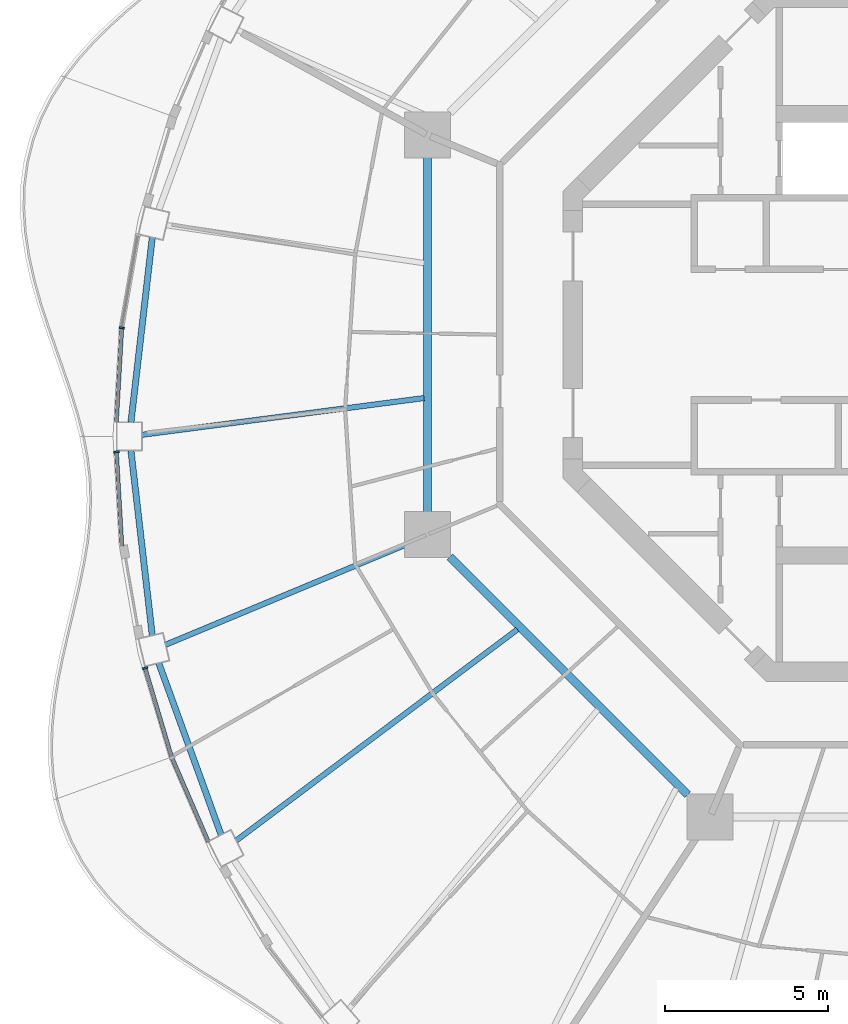
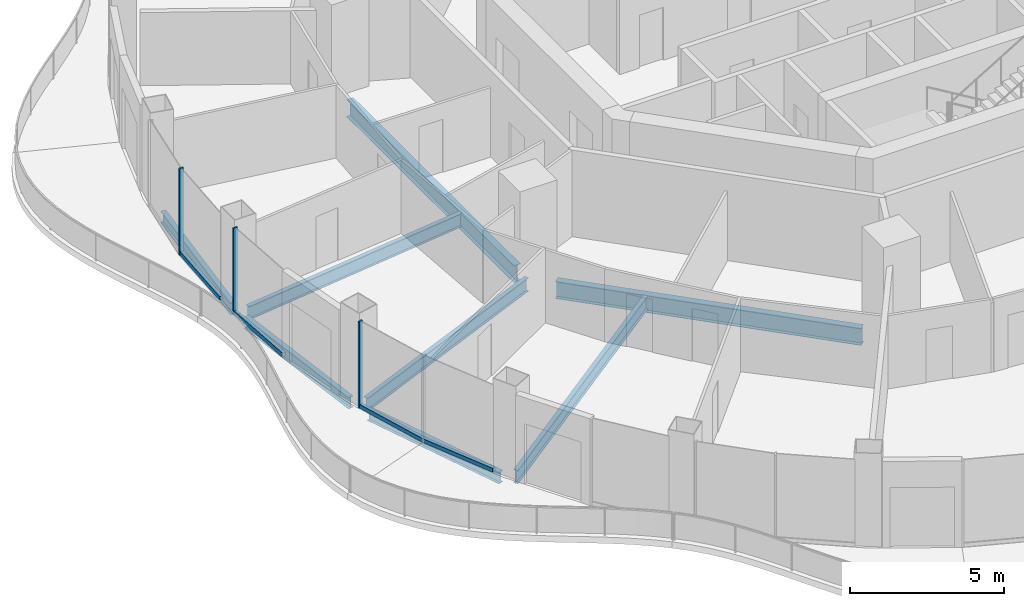
# One storey, part 3 of 17: 8 beams, 7 members, 4 elements without a shape of their own.
"""IFC4 building model written with IfcOpenShell, lengths in metres."""

from ifc_helpers import new_model, si_unit, direction, frame, origin, origin_2d, place, context, subcontext, project, spatial, rectangle, i_section, extrude, material, layer, layer_set, material_profile, profile_set, type_object, element, aggregate, save


model = new_model("IFC4")

# Units and contexts
model_context = context("Model", 3, precision=1e-05, world=origin(), true_north=direction((0.0, 1.0)))
body_context = subcontext(model_context, "Body", "Model", "MODEL_VIEW")
ifc_project = project(units=[si_unit("LENGTHUNIT", "METRE"), si_unit("AREAUNIT", "SQUARE_METRE"), si_unit("VOLUMEUNIT", "CUBIC_METRE"), si_unit("PLANEANGLEUNIT", "RADIAN"), si_unit("MASSUNIT", "GRAM", prefix="KILO")], contexts=[model_context])

# Site, building, storey
site_placement = place(None, origin())
site = spatial("IfcSite", under=ifc_project, at=site_placement, CompositionType="ELEMENT")
building_placement = place(site_placement, origin())
building = spatial("IfcBuilding", under=site, at=building_placement, Name="Nagisa Residences", CompositionType="ELEMENT")
storey_placement = place(building_placement, frame((0.0, 0.0, 265.89990234375)))
storey = spatial("IfcBuildingStorey", under=building, at=storey_placement, Name="L67", CompositionType="ELEMENT", Elevation=265.89990234375)

# Curtain wall, member
ifc_material_1 = material(Name="Concrete-coloured aluminium curtain wall system", Category="concrete")
ifc_layer = layer(ifc_material_1, 0.159912109375)
ifc_layer_set = layer_set([ifc_layer], Name="CW1 CURTAIN WALL")
curtain_wall_type = type_object("IfcCurtainWallType", Name="CW1 CURTAIN WALL", PredefinedType="NOTDEFINED", material=ifc_layer_set)
curtain_wall_1_placement = place(storey_placement, origin())
curtain_wall_1 = element("IfcCurtainWall", 1, at=curtain_wall_1_placement, inside=storey, type_object=curtain_wall_type, Name="cw:CW1:L67:23", PredefinedType="NOTDEFINED")
ifc_material_2 = material(Name="Concrete-coloured aluminium", Category="concrete")
ifc_material_profile_1 = material_profile(ifc_material_2, rectangle(XDim=0.159912109375, YDim=0.06005859375, at=origin_2d()), Name="CW1 MULLION 160x60")
ifc_profile_set_1 = profile_set([ifc_material_profile_1], Name="Concrete-coloured aluminium")
member_type_1 = type_object("IfcMemberType", Name="CW1 MULLION 160x60", PredefinedType="MULLION", material=ifc_profile_set_1)
member_1_placement = place(storey_placement, frame((-24.1484375, 0.20751953125, 0.0), z_axis=(0.0, 0.0, 1.0), x_axis=(0.998345305184, -0.057503492216, 0.0)))
member_1 = element("IfcMember", 2, at=member_1_placement, type_object=member_type_1, Name="CW1 mullion", PredefinedType="MULLION", context=body_context, shape_type="SweptSolid", body=[
    extrude(rectangle(XDim=0.159912109375, YDim=0.06005859375, at=origin_2d()), origin(), (0.0, 0.0, 1.0), 3.440185546875),
])

curtain_wall_2_placement = place(storey_placement, origin())
curtain_wall_2 = element("IfcCurtainWall", 3, at=curtain_wall_2_placement, inside=storey, type_object=curtain_wall_type, Name="cw:CW1:L67:24", PredefinedType="NOTDEFINED")
member_2_placement = place(storey_placement, frame((-24.3125, -3.59228515625, 0.0), z_axis=(0.0, 0.0, 1.0), x_axis=(0.998345305184, 0.057503492216, 0.0)))
member_2 = element("IfcMember", 4, at=member_2_placement, type_object=member_type_1, Name="CW1 mullion", PredefinedType="MULLION", context=body_context, shape_type="SweptSolid", body=[
    extrude(rectangle(XDim=0.159912109375, YDim=0.06005859375, at=origin_2d()), origin(), (0.0, 0.0, 1.0), 3.440185546875),
])

curtain_wall_3_placement = place(storey_placement, origin())
curtain_wall_3 = element("IfcCurtainWall", 5, at=curtain_wall_3_placement, inside=storey, type_object=curtain_wall_type, Name="cw:CW1:L67:26", PredefinedType="NOTDEFINED")
member_3_placement = place(storey_placement, frame((-23.435302734375, -10.216796875, 0.0), z_axis=(0.0, 0.0, 1.0), x_axis=(0.958271310082, 0.285860274038, 0.0)))
member_3 = element("IfcMember", 6, at=member_3_placement, type_object=member_type_1, Name="CW1 mullion", PredefinedType="MULLION", context=body_context, shape_type="SweptSolid", body=[
    extrude(rectangle(XDim=0.159912109375, YDim=0.06005859375, at=origin_2d()), origin(), (0.0, 0.0, 1.0), 3.440185546875),
])

# Member
ifc_material_3 = material(Name="Concrete-coloured aluminium", Category="concrete")
ifc_material_profile_2 = material_profile(ifc_material_3, rectangle(XDim=0.1201171875, YDim=0.14990234375, at=origin_2d()), Name="CW1 TRANSOM 120x150")
ifc_profile_set_2 = profile_set([ifc_material_profile_2], Name="Concrete-coloured aluminium")
member_type_2 = type_object("IfcMemberType", Name="CW1 TRANSOM 120x150", PredefinedType="USERDEFINED", material=ifc_profile_set_2)
member_4_placement = place(storey_placement, frame((-24.146728515625, 0.237548828125, 0.0751953125), z_axis=(-0.057445660401, -0.998348634547, 0.0), x_axis=(0.998348634547, -0.057445660401, 0.0)))
member_4 = element("IfcMember", 7, at=member_4_placement, type_object=member_type_2, Name="CW1 transom", ObjectType="TRANSOM", PredefinedType="USERDEFINED", context=body_context, shape_type="SweptSolid", body=[
    extrude(rectangle(XDim=0.1201171875, YDim=0.14990234375, at=origin_2d()), origin(), (0.0, 0.0, 1.0), 2.91552734375),
])

aggregate(curtain_wall_1, [member_1, member_4])

member_5_placement = place(storey_placement, frame((-24.314208984375, -3.562255859375, 0.0751953125), z_axis=(0.057445660401, -0.998348634547, 0.0), x_axis=(0.998348634547, 0.057445660401, 0.0)))
member_5 = element("IfcMember", 8, at=member_5_placement, type_object=member_type_2, Name="CW1 transom", ObjectType="TRANSOM", PredefinedType="USERDEFINED", context=body_context, shape_type="SweptSolid", body=[
    extrude(rectangle(XDim=0.1201171875, YDim=0.14990234375, at=origin_2d()), origin(), (0.0, 0.0, 1.0), 2.91552734375),
])

aggregate(curtain_wall_2, [member_2, member_5])

member_6_placement = place(storey_placement, frame((-23.44384765625, -10.18798828125, 0.0751953125), z_axis=(0.285798286059, -0.958289799427, 0.0), x_axis=(0.958289799427, 0.285798286059, 0.0)))
member_6 = element("IfcMember", 9, at=member_6_placement, type_object=member_type_2, Name="CW1 transom", ObjectType="TRANSOM", PredefinedType="USERDEFINED", context=body_context, shape_type="SweptSolid", body=[
    extrude(rectangle(XDim=0.1201171875, YDim=0.14990234375, at=origin_2d()), origin(), (0.0, 0.0, 1.0), 2.877197265625),
])

aggregate(curtain_wall_3, [member_3, member_6])

# Curtain wall, member
curtain_wall_4_placement = place(storey_placement, origin())
curtain_wall_4 = element("IfcCurtainWall", 10, at=curtain_wall_4_placement, inside=storey, type_object=curtain_wall_type, Name="cw:CW1:L67:27", PredefinedType="NOTDEFINED")
member_7_placement = place(storey_placement, frame((-22.624755859375, -12.93603515625, 0.0751953125), z_axis=(0.397597791596, -0.9175598052, 0.0), x_axis=(0.9175598052, 0.397597791596, 0.0)))
member_7 = element("IfcMember", 11, at=member_7_placement, type_object=member_type_2, Name="CW1 transom", ObjectType="TRANSOM", PredefinedType="USERDEFINED", context=body_context, shape_type="SweptSolid", body=[
    extrude(rectangle(XDim=0.1201171875, YDim=0.14990234375, at=origin_2d()), origin(), (0.0, 0.0, 1.0), 2.841064453125),
])
aggregate(curtain_wall_4, [member_7])

# Beams
ifc_material_4 = material(Name="Steel ASTM A572 Gr 50", Category="steel")
ifc_material_profile_3 = material_profile(ifc_material_4, i_section(OverallWidth=0.2529296875, OverallDepth=0.677978515625, WebThickness=0.01171875, FlangeThickness=0.016357421875, at=origin_2d()), Name="W690x125")
ifc_profile_set_3 = profile_set([ifc_material_profile_3], Name="Steel ASTM A572 Gr 50")
beam_type_1 = type_object("IfcBeamType", Name="Inner ring beam W690x125", PredefinedType="BEAM", material=ifc_profile_set_3)
beam_1_placement = place(storey_placement, frame((-14.781982421875, 5.44287109375, -0.598876953125), z_axis=(0.0, -1.0, 0.0), x_axis=(1.0, 0.0, 0.0)))
element("IfcBeam", 12, at=beam_1_placement, inside=storey, type_object=beam_type_1, Name="beam:L67:ib4", PredefinedType="BEAM", context=body_context, shape_type="SweptSolid", body=[
    extrude(i_section(OverallWidth=0.2529296875, OverallDepth=0.677978515625, WebThickness=0.01171875, FlangeThickness=0.016357421875, at=origin_2d()), origin(), (0.0, 0.0, 1.0), 10.8857421875),
])
beam_2_placement = place(storey_placement, frame((-14.09619140625, -6.808837890625, -0.598876953125), z_axis=(0.707106781187, -0.707106781187, 0.0), x_axis=(0.707106781187, 0.707106781187, 0.0)))
element("IfcBeam", 13, at=beam_2_placement, inside=storey, type_object=beam_type_1, Name="beam:L67:ib5", PredefinedType="BEAM", context=body_context, shape_type="SweptSolid", body=[
    extrude(i_section(OverallWidth=0.2529296875, OverallDepth=0.677978515625, WebThickness=0.01171875, FlangeThickness=0.016357421875, at=origin_2d()), origin(), (0.0, 0.0, 1.0), 10.305908203125),
])
ifc_material_5 = material(Name="Steel ASTM A572 Gr 50", Category="steel")
ifc_material_profile_4 = material_profile(ifc_material_5, i_section(OverallWidth=0.18994140625, OverallDepth=0.45703125, WebThickness=0.009033203125, FlangeThickness=0.014404296875, at=origin_2d()), Name="W460x74")
ifc_profile_set_4 = profile_set([ifc_material_profile_4], Name="Steel ASTM A572 Gr 50")
beam_type_2 = type_object("IfcBeamType", Name="Perimeter ring beam W460x74", PredefinedType="BEAM", material=ifc_profile_set_4)
for number, where, z_axis, x_axis, name in (
    (14, (-23.2158203125, 2.984619140625, -0.48828125), (-0.114635468623, -0.993407624962, 0.0), (0.993407624962, -0.114635468623, 0.0), "beam:L67:pb12"),
    (15, (-23.870361328125, -3.5478515625, -0.48828125), (0.114635468623, -0.993407624962, 0.0), (0.993407624962, 0.114635468623, 0.0), "beam:L67:pb13"),
):
    element("IfcBeam", number, at=place(storey_placement, frame(where, z_axis=z_axis, x_axis=x_axis)), inside=storey, type_object=beam_type_2, Name=name, PredefinedType="BEAM", context=body_context, shape_type="SweptSolid", body=[
        extrude(i_section(OverallWidth=0.18994140625, OverallDepth=0.45703125, WebThickness=0.009033203125, FlangeThickness=0.014404296875, at=origin_2d()), origin(), (0.0, 0.0, 1.0), 5.709716796875),
    ])
beam_3_placement = place(storey_placement, frame((-23.0185546875, -10.057373046875, -0.48828125), z_axis=(0.341250304478, -0.9399724622, 0.0), x_axis=(0.9399724622, 0.341250304478, 0.0)))
element("IfcBeam", 16, at=beam_3_placement, inside=storey, type_object=beam_type_2, Name="beam:L67:pb14", PredefinedType="BEAM", context=body_context, shape_type="SweptSolid", body=[
    extrude(i_section(OverallWidth=0.18994140625, OverallDepth=0.45703125, WebThickness=0.009033203125, FlangeThickness=0.014404296875, at=origin_2d()), origin(), (0.0, 0.0, 1.0), 5.609619140625),
])
ifc_material_6 = material(Name="Steel ASTM A572 Gr 50", Category="steel")
ifc_material_profile_5 = material_profile(ifc_material_6, i_section(OverallWidth=0.166015625, OverallDepth=0.534912109375, WebThickness=0.01025390625, FlangeThickness=0.0166015625, at=origin_2d()), Name="W530x85")
ifc_profile_set_5 = profile_set([ifc_material_profile_5], Name="Steel ASTM A572 Gr 50")
beam_type_3 = type_object("IfcBeamType", Name="Radial beam W530x85", PredefinedType="BEAM", material=ifc_profile_set_5)
beam_4_placement = place(storey_placement, frame((-23.539794921875, -3.068115234375, -0.52734375), z_axis=(0.991614605292, 0.129230315994, 0.0), x_axis=(-0.129230315994, 0.991614605292, 0.0)))
element("IfcBeam", 17, at=beam_4_placement, inside=storey, type_object=beam_type_3, Name="beam:L67:rb13", PredefinedType="BEAM", context=body_context, shape_type="SweptSolid", body=[
    extrude(i_section(OverallWidth=0.166015625, OverallDepth=0.534912109375, WebThickness=0.01025390625, FlangeThickness=0.0166015625, at=origin_2d()), origin(), (0.0, 0.0, 1.0), 8.724365234375),
])
beam_5_placement = place(storey_placement, frame((-22.810546875, -9.502197265625, -0.52734375), z_axis=(0.92310713136, 0.384542876716, 0.0), x_axis=(-0.384542876716, 0.92310713136, 0.0)))
element("IfcBeam", 18, at=beam_5_placement, inside=storey, type_object=beam_type_3, Name="beam:L67:rb14", PredefinedType="BEAM", context=body_context, shape_type="SweptSolid", body=[
    extrude(i_section(OverallWidth=0.166015625, OverallDepth=0.534912109375, WebThickness=0.01025390625, FlangeThickness=0.0166015625, at=origin_2d()), origin(), (0.0, 0.0, 1.0), 8.607177734375),
])
beam_6_placement = place(storey_placement, frame((-20.647705078125, -15.505859375, -0.52734375), z_axis=(0.799616749037, 0.600510661571, 0.0), x_axis=(-0.600510661571, 0.799616749037, 0.0)))
element("IfcBeam", 19, at=beam_6_placement, inside=storey, type_object=beam_type_3, Name="beam:L67:rb15", PredefinedType="BEAM", context=body_context, shape_type="SweptSolid", body=[
    extrude(i_section(OverallWidth=0.166015625, OverallDepth=0.534912109375, WebThickness=0.01025390625, FlangeThickness=0.0166015625, at=origin_2d()), origin(), (0.0, 0.0, 1.0), 10.782958984375),
])

save(model, "model.ifc")
